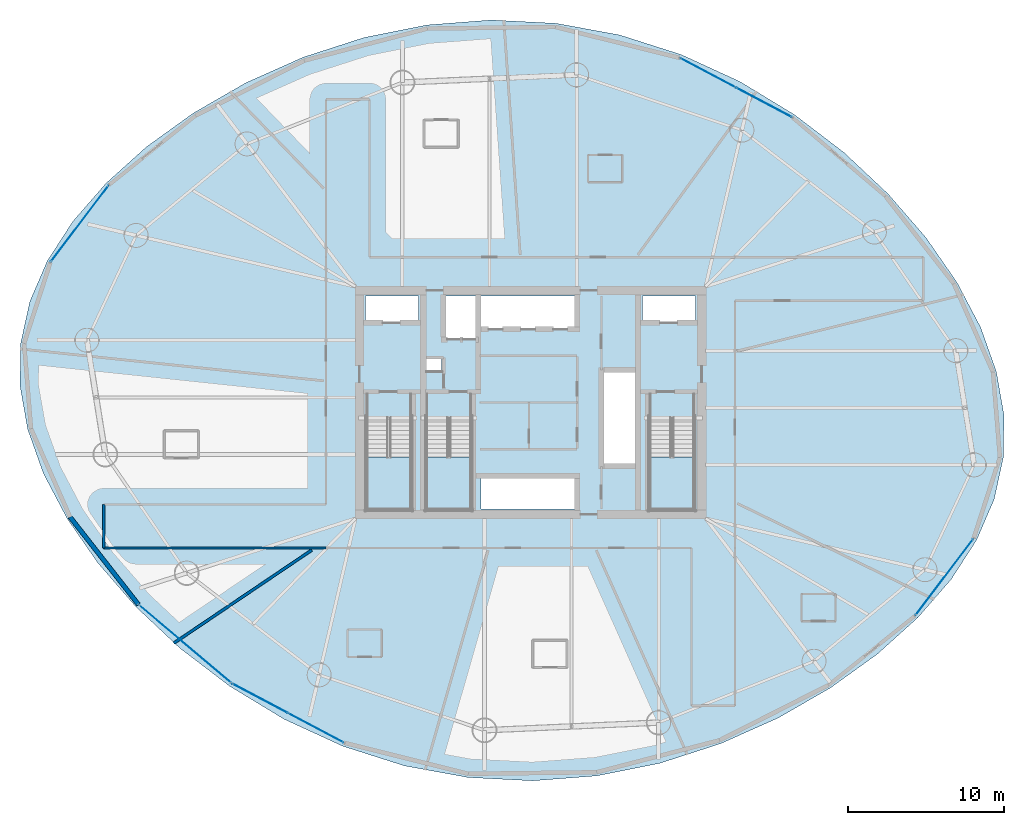
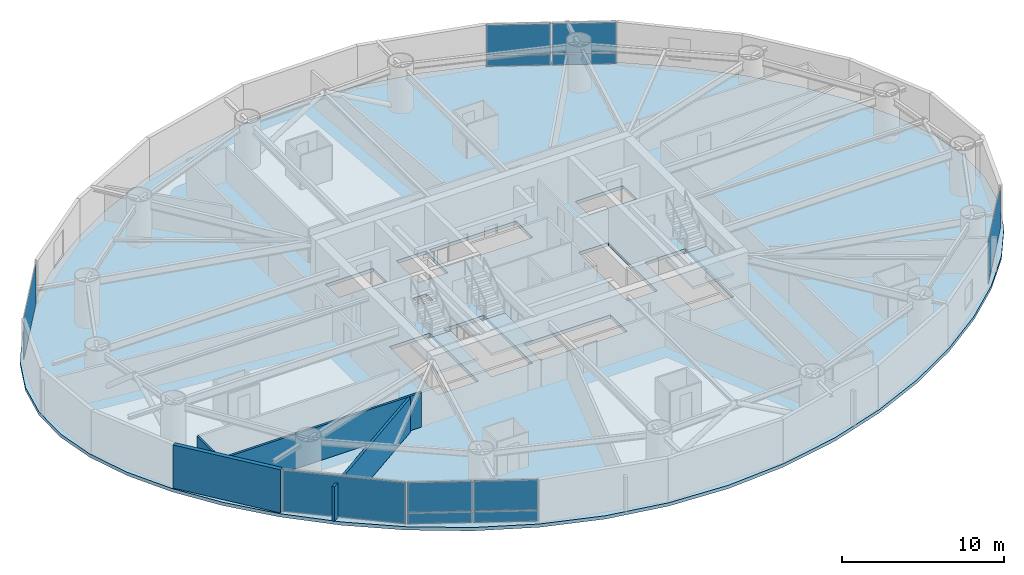
# One storey, part 11 of 19: 11 plates, 4 slabs, 4 walls, 8 elements without a shape of their own.
"""IFC4 building model written with IfcOpenShell, lengths in metres."""

from ifc_helpers import new_model, si_unit, direction, frame, frame_2d, origin, origin_2d, place, context, subcontext, project, spatial, polyline, rectangle, outline, extrude, material, layer, layer_set, type_object, element, aggregate, save


model = new_model("IFC4")

# Units and contexts
model_context = context("Model", 3, precision=1e-05, world=origin(), true_north=direction((0.0, 1.0)))
body_context = subcontext(model_context, "Body", "Model", "MODEL_VIEW")
ifc_project = project(units=[si_unit("LENGTHUNIT", "METRE"), si_unit("AREAUNIT", "SQUARE_METRE"), si_unit("VOLUMEUNIT", "CUBIC_METRE"), si_unit("PLANEANGLEUNIT", "RADIAN"), si_unit("MASSUNIT", "GRAM", prefix="KILO")], contexts=[model_context])

# Site, building, storey
site_placement = place(None, origin())
site = spatial("IfcSite", under=ifc_project, at=site_placement, CompositionType="ELEMENT")
building_placement = place(site_placement, origin())
building = spatial("IfcBuilding", under=site, at=building_placement, Name="Bramvorn Convention Spire", CompositionType="ELEMENT")
storey_placement = place(building_placement, frame((0.0, 0.0, 62.39990234375)))
storey = spatial("IfcBuildingStorey", under=building, at=storey_placement, Name="L13", CompositionType="ELEMENT", Elevation=62.39990234375)

# Curtain wall, plates
ifc_material_1 = material(Name="Anodised Bronze Unitised Curtain Wall", Category="aluminium")
ifc_layer_1 = layer(ifc_material_1, 0.179931640625)
ifc_layer_set_1 = layer_set([ifc_layer_1], Name="Anodised Bronze Unitised Curtain Wall - CW-HTL-FRIT")
curtain_wall_type = type_object("IfcCurtainWallType", Name="CW-HTL-FRIT", PredefinedType="USERDEFINED", material=ifc_layer_set_1)
curtain_wall_1_placement = place(storey_placement, origin())
curtain_wall_1 = element("IfcCurtainWall", 1, at=curtain_wall_1_placement, inside=storey, type_object=curtain_wall_type, Name="L13 fritted glass curtain wall 05", ObjectType="UNITISED CURTAIN WALL", PredefinedType="USERDEFINED")
ifc_material_2 = material(Name="Laminated Low-E Glass (Triple IGU Bronze Ceramic Frit 35%)", Category="glass")
ifc_layer_2 = layer(ifc_material_2, 0.035888671875)
ifc_layer_set_2 = layer_set([ifc_layer_2], Name="Laminated Low-E Glass (Triple IGU Bronze Ceramic Frit 35%) - PNL-IGU-1")
plate_type = type_object("IfcPlateType", Name="PNL-IGU-1", PredefinedType="CURTAIN_PANEL", material=ifc_layer_set_2)
plate_1_placement = place(storey_placement, frame((49.42236328125, 47.18994140625, 0.06005859375), z_axis=(0.0, 0.0, 1.0), x_axis=(0.883964090831, -0.46755479478, 0.0)))
plate_1 = element("IfcPlate", 2, at=plate_1_placement, type_object=plate_type, Name="CW2 panel 1.1", PredefinedType="CURTAIN_PANEL", context=body_context, shape_type="SweptSolid", body=[
    extrude(rectangle(XDim=3.995361328125, YDim=0.028076171875, at=origin_2d()), origin(), (0.0, 0.0, 1.0), 0.81005859375),
])
plate_2_placement = place(storey_placement, frame((49.42236328125, 47.18994140625, 0.93017578125), z_axis=(0.0, 0.0, 1.0), x_axis=(0.883964090831, -0.46755479478, 0.0)))
plate_2 = element("IfcPlate", 3, at=plate_2_placement, type_object=plate_type, Name="CW2 panel 1.2", PredefinedType="CURTAIN_PANEL", context=body_context, shape_type="SweptSolid", body=[
    extrude(rectangle(XDim=3.995361328125, YDim=0.028076171875, at=origin_2d()), origin(), (0.0, 0.0, 1.0), 2.260009765625),
])
plate_3_placement = place(storey_placement, frame((53.007080078125, 45.293701171875, 0.06005859375), z_axis=(0.0, 0.0, 1.0), x_axis=(0.883964090831, -0.46755479478, 0.0)))
plate_3 = element("IfcPlate", 4, at=plate_3_placement, type_object=plate_type, Name="CW2 panel 2.1", PredefinedType="CURTAIN_PANEL", context=body_context, shape_type="SweptSolid", body=[
    extrude(rectangle(XDim=3.995361328125, YDim=0.028076171875, at=origin_2d()), origin(), (0.0, 0.0, 1.0), 0.81005859375),
])
plate_4_placement = place(storey_placement, frame((53.007080078125, 45.293701171875, 0.93017578125), z_axis=(0.0, 0.0, 1.0), x_axis=(0.883964090831, -0.46755479478, 0.0)))
plate_4 = element("IfcPlate", 5, at=plate_4_placement, type_object=plate_type, Name="CW2 panel 2.2", PredefinedType="CURTAIN_PANEL", context=body_context, shape_type="SweptSolid", body=[
    extrude(rectangle(XDim=3.995361328125, YDim=0.028076171875, at=origin_2d()), origin(), (0.0, 0.0, 1.0), 2.260009765625),
])
aggregate(curtain_wall_1, [plate_1, plate_2, plate_3, plate_4])

# Curtain wall, plate
curtain_wall_2_placement = place(storey_placement, origin())
curtain_wall_2 = element("IfcCurtainWall", 6, at=curtain_wall_2_placement, inside=storey, type_object=curtain_wall_type, Name="L13 fritted glass curtain wall 11", ObjectType="UNITISED CURTAIN WALL", PredefinedType="USERDEFINED")
plate_5_placement = place(storey_placement, frame((9.01025390625, 37.501220703125, 0.06005859375), z_axis=(0.0, 0.0, 1.0), x_axis=(0.604195150322, 0.796836382407, 0.0)))
plate_5 = element("IfcPlate", 7, at=plate_5_placement, type_object=plate_type, Name="CW2 panel 1.1", PredefinedType="CURTAIN_PANEL", context=body_context, shape_type="SweptSolid", body=[
    extrude(rectangle(XDim=6.092041015625, YDim=0.028076171875, at=origin_2d()), origin(), (0.0, 0.0, 1.0), 3.1298828125),
])
aggregate(curtain_wall_2, [plate_5])

curtain_wall_3_placement = place(storey_placement, origin())
curtain_wall_3 = element("IfcCurtainWall", 8, at=curtain_wall_3_placement, inside=storey, type_object=curtain_wall_type, Name="L13 fritted glass curtain wall 16", ObjectType="UNITISED CURTAIN WALL", PredefinedType="USERDEFINED")
plate_6_placement = place(storey_placement, frame((15.792724609375, 10.476318359375, 0.06005859375), z_axis=(0.0, 0.0, 1.0), x_axis=(-0.764166600848, 0.645018919218, 0.0)))
plate_6 = element("IfcPlate", 9, at=plate_6_placement, type_object=plate_type, Name="CW2 panel 1.1", PredefinedType="CURTAIN_PANEL", context=body_context, shape_type="SweptSolid", body=[
    extrude(rectangle(XDim=7.724853515625, YDim=0.028076171875, at=origin_2d()), origin(), (0.0, 0.0, 1.0), 3.1298828125),
])
aggregate(curtain_wall_3, [plate_6])

# Curtain wall, plates
curtain_wall_4_placement = place(storey_placement, origin())
curtain_wall_4 = element("IfcCurtainWall", 10, at=curtain_wall_4_placement, inside=storey, type_object=curtain_wall_type, Name="L13 fritted glass curtain wall 17", ObjectType="UNITISED CURTAIN WALL", PredefinedType="USERDEFINED")
plate_7_placement = place(storey_placement, frame((24.19384765625, 5.087890625, 0.06005859375), z_axis=(0.0, 0.0, 1.0), x_axis=(-0.883961415317, 0.467559853101, 0.0)))
plate_7 = element("IfcPlate", 11, at=plate_7_placement, type_object=plate_type, Name="CW2 panel 1.1", PredefinedType="CURTAIN_PANEL", context=body_context, shape_type="SweptSolid", body=[
    extrude(rectangle(XDim=3.995361328125, YDim=0.028076171875, at=origin_2d()), origin(), (0.0, 0.0, 1.0), 0.81005859375),
])
plate_8_placement = place(storey_placement, frame((24.19384765625, 5.087890625, 0.93017578125), z_axis=(0.0, 0.0, 1.0), x_axis=(-0.883961415317, 0.467559853101, 0.0)))
plate_8 = element("IfcPlate", 12, at=plate_8_placement, type_object=plate_type, Name="CW2 panel 1.2", PredefinedType="CURTAIN_PANEL", context=body_context, shape_type="SweptSolid", body=[
    extrude(rectangle(XDim=3.995361328125, YDim=0.028076171875, at=origin_2d()), origin(), (0.0, 0.0, 1.0), 2.260009765625),
])
plate_9_placement = place(storey_placement, frame((20.609130859375, 6.984130859375, 0.06005859375), z_axis=(0.0, 0.0, 1.0), x_axis=(-0.883961415317, 0.467559853101, 0.0)))
plate_9 = element("IfcPlate", 13, at=plate_9_placement, type_object=plate_type, Name="CW2 panel 2.1", PredefinedType="CURTAIN_PANEL", context=body_context, shape_type="SweptSolid", body=[
    extrude(rectangle(XDim=3.995361328125, YDim=0.028076171875, at=origin_2d()), origin(), (0.0, 0.0, 1.0), 0.81005859375),
])
plate_10_placement = place(storey_placement, frame((20.609130859375, 6.984130859375, 0.93017578125), z_axis=(0.0, 0.0, 1.0), x_axis=(-0.883961415317, 0.467559853101, 0.0)))
plate_10 = element("IfcPlate", 14, at=plate_10_placement, type_object=plate_type, Name="CW2 panel 2.2", PredefinedType="CURTAIN_PANEL", context=body_context, shape_type="SweptSolid", body=[
    extrude(rectangle(XDim=3.995361328125, YDim=0.028076171875, at=origin_2d()), origin(), (0.0, 0.0, 1.0), 2.260009765625),
])
aggregate(curtain_wall_4, [plate_7, plate_8, plate_9, plate_10])

# Curtain wall, plate
curtain_wall_5_placement = place(storey_placement, origin())
curtain_wall_5 = element("IfcCurtainWall", 15, at=curtain_wall_5_placement, inside=storey, type_object=curtain_wall_type, Name="L13 fritted glass curtain wall 23", ObjectType="UNITISED CURTAIN WALL", PredefinedType="USERDEFINED")
plate_11_placement = place(storey_placement, frame((64.605712890625, 14.776611328125, 0.06005859375), z_axis=(0.0, 0.0, 1.0), x_axis=(-0.604205371376, -0.796828632267, 0.0)))
plate_11 = element("IfcPlate", 16, at=plate_11_placement, type_object=plate_type, Name="CW2 panel 1.1", PredefinedType="CURTAIN_PANEL", context=body_context, shape_type="SweptSolid", body=[
    extrude(rectangle(XDim=6.092041015625, YDim=0.028076171875, at=origin_2d()), origin(), (0.0, 0.0, 1.0), 3.1298828125),
])
aggregate(curtain_wall_5, [plate_11])

# Stair, slab
ifc_material_3 = material(Name="Concrete C40/50 Precast Stair", Category="concrete")
stair_type = type_object("IfcStairType", Name="ST-TOWER-1550", PredefinedType="HALF_TURN_STAIR", material=ifc_material_3)
stair_1_placement = place(storey_placement, origin())
stair_1 = element("IfcStair", 17, at=stair_1_placement, inside=storey, type_object=stair_type, Name="L13 Protected Exit Stair ST1", PredefinedType="HALF_TURN_STAIR")
ifc_material_4 = material(Name="Concrete C40/50 Stair Landing", Category="concrete")
ifc_layer_3 = layer(ifc_material_4, 0.219970703125)
ifc_layer_set_3 = layer_set([ifc_layer_3], Name="Concrete C40/50 Stair Landing - SLB-STAIR-LANDING")
slab_type_1 = type_object("IfcSlabType", Name="SLB-STAIR-LANDING", PredefinedType="LANDING", material=ifc_layer_set_3)
slab_1_placement = place(storey_placement, frame((0.0, 0.0, 1.550048828125)))
slab_1 = element("IfcSlab", 18, at=slab_1_placement, type_object=slab_type_1, Name="ST1 landing 1", PredefinedType="LANDING", context=body_context, shape_type="SweptSolid", body=[
    extrude(outline(polyline([(27.449951171875, 22.485107421875), (27.449951171875, 19.10009765625), (30.35009765625, 19.10009765625), (30.35009765625, 22.485107421875), (27.449951171875, 22.485107421875)])), origin(), (0.0, 0.0, 1.0), 0.199951171875),
])
aggregate(stair_1, [slab_1])

stair_2_placement = place(storey_placement, origin())
stair_2 = element("IfcStair", 19, at=stair_2_placement, inside=storey, type_object=stair_type, Name="L13 Protected Exit Stair ST2", PredefinedType="HALF_TURN_STAIR")
slab_2_placement = place(storey_placement, frame((0.0, 0.0, 1.550048828125)))
slab_2 = element("IfcSlab", 20, at=slab_2_placement, type_object=slab_type_1, Name="ST2 landing 1", PredefinedType="LANDING", context=body_context, shape_type="SweptSolid", body=[
    extrude(outline(polyline([(45.64990234375, 22.485107421875), (45.64990234375, 19.10009765625), (48.550048828125, 19.10009765625), (48.550048828125, 22.485107421875), (45.64990234375, 22.485107421875)])), origin(), (0.0, 0.0, 1.0), 0.199951171875),
])
aggregate(stair_2, [slab_2])

stair_3_placement = place(storey_placement, origin())
stair_3 = element("IfcStair", 21, at=stair_3_placement, inside=storey, type_object=stair_type, Name="L13 Protected Exit Stair ST3", PredefinedType="HALF_TURN_STAIR")
slab_3_placement = place(storey_placement, frame((0.0, 0.0, 1.550048828125)))
slab_3 = element("IfcSlab", 22, at=slab_3_placement, type_object=slab_type_1, Name="ST3 landing 1", PredefinedType="LANDING", context=body_context, shape_type="SweptSolid", body=[
    extrude(outline(polyline([(31.300048828125, 22.485107421875), (31.300048828125, 19.10009765625), (34.199951171875, 19.10009765625), (34.199951171875, 22.485107421875), (31.300048828125, 22.485107421875)])), origin(), (0.0, 0.0, 1.0), 0.199951171875),
])
aggregate(stair_3, [slab_3])

# Slab
ifc_material_5 = material(Name="Concrete C50/60", Category="concrete")
ifc_layer_4 = layer(ifc_material_5, 0.25)
ifc_layer_set_4 = layer_set([ifc_layer_4], Name="Concrete C50/60 - SLB-Z1-250")
slab_type_2 = type_object("IfcSlabType", Name="SLB-Z1-250", PredefinedType="FLOOR", material=ifc_layer_set_4)
slab_4_placement = place(storey_placement, frame((0.0, 0.0, -0.25)))
element("IfcSlab", 23, at=slab_4_placement, inside=storey, type_object=slab_type_2, Name="L13 tower floor slab", PredefinedType="FLOOR", context=body_context, shape_type="SweptSolid", body=[
    extrude(outline(polyline([(68.39404296875, 22.456298828125), (68.439208984375, 25.19140625), (67.9482421875, 27.9892578125), (66.934814453125, 30.84130859375), (65.418701171875, 33.724853515625), (63.42724609375, 36.599853515625), (60.993408203125, 39.408203125), (58.15576171875, 42.0751953125), (54.958251953125, 44.515869140625), (51.4501953125, 46.64208984375), (47.686279296875, 48.37109375), (43.726318359375, 49.634033203125), (39.634521484375, 50.3828125), (35.480712890625, 50.59521484375), (31.336181640625, 50.27734375), (27.275390625, 49.460693359375), (23.372314453125, 48.198486328125), (19.698974609375, 46.55859375), (16.323974609375, 44.615966796875), (13.309326171875, 42.443115234375), (10.7099609375, 40.103271484375), (8.5712890625, 37.645751953125), (6.9287109375, 35.103515625), (5.8076171875, 32.49365234375), (5.221923828125, 29.821533203125), (5.177001953125, 27.08642578125), (5.667724609375, 24.28857421875), (6.681396484375, 21.436767578125), (8.197509765625, 18.552978515625), (10.18896484375, 15.677978515625), (12.622802734375, 12.869873046875), (15.46044921875, 10.202880859375), (18.657958984375, 7.76220703125), (22.166015625, 5.6357421875), (25.929931640625, 3.90673828125), (29.889892578125, 2.643798828125), (33.9814453125, 1.895263671875), (38.135498046875, 1.6826171875), (42.280029296875, 2.00048828125), (46.3408203125, 2.8173828125), (50.243896484375, 4.07958984375), (53.9169921875, 5.71923828125), (57.292236328125, 7.661865234375), (60.306640625, 9.8349609375), (62.90625, 12.1748046875), (65.044921875, 14.632080078125), (66.6875, 17.17431640625), (67.80859375, 19.7841796875), (68.39404296875, 22.456298828125)]), holes=[polyline([(27.449951171875, 25.050048828125), (27.449951171875, 19.10009765625), (30.35009765625, 19.10009765625), (30.35009765625, 25.050048828125), (27.449951171875, 25.050048828125)]), polyline([(45.64990234375, 25.050048828125), (45.64990234375, 19.10009765625), (48.550048828125, 19.10009765625), (48.550048828125, 25.050048828125), (45.64990234375, 25.050048828125)]), polyline([(31.300048828125, 25.050048828125), (31.300048828125, 19.10009765625), (34.199951171875, 19.10009765625), (34.199951171875, 25.050048828125), (31.300048828125, 25.050048828125)]), polyline([(27.39990234375, 31.219970703125), (30.800048828125, 31.219970703125), (30.800048828125, 32.85009765625), (27.39990234375, 32.85009765625), (27.39990234375, 31.219970703125)]), polyline([(45.199951171875, 31.219970703125), (48.60009765625, 31.219970703125), (48.60009765625, 32.85009765625), (45.199951171875, 32.85009765625), (45.199951171875, 31.219970703125)]), polyline([(32.449951171875, 30.14990234375), (34.56005859375, 30.14990234375), (34.56005859375, 32.85009765625), (32.449951171875, 32.85009765625), (32.449951171875, 30.14990234375)]), polyline([(34.800048828125, 30.800048828125), (40.97998046875, 30.800048828125), (40.97998046875, 32.85009765625), (34.800048828125, 32.85009765625), (34.800048828125, 30.800048828125)]), polyline([(34.800048828125, 19.14990234375), (40.97998046875, 19.14990234375), (40.97998046875, 21.199951171875), (34.800048828125, 21.199951171875), (34.800048828125, 19.14990234375)]), polyline([(42.6201171875, 22.0), (44.75, 22.0), (44.75, 28.0), (42.6201171875, 28.0), (42.6201171875, 22.0)]), polyline([(31.320068359375, 28.02001953125), (32.280029296875, 28.02001953125), (32.280029296875, 28.820068359375), (31.320068359375, 28.820068359375), (31.320068359375, 28.02001953125)])]), origin(), (0.0, 0.0, 1.0), 0.25),
])

# Walls
ifc_material_6 = material(Name="Precast Concrete C40/50 with Bronze Terracotta Rainscreen", Category="masonry")
ifc_layer_5 = layer(ifc_material_6, 0.300048828125)
ifc_layer_set_5 = layer_set([ifc_layer_5], Name="Precast Concrete C40/50 with Bronze Terracotta Rainscreen - WL-EXT-BRONZE-300")
wall_type_1 = type_object("IfcWallType", Name="WL-EXT-BRONZE-300", PredefinedType="SOLIDWALL", material=ifc_layer_set_5)
wall_1_placement = place(storey_placement, frame((12.79541015625, 13.00634765625, 0.0), z_axis=(0.0, 0.0, 1.0), x_axis=(-0.615498775156, 0.788137841866, 0.0)))
element("IfcWall", 24, at=wall_1_placement, inside=storey, type_object=wall_type_1, Name="L13 expressed bronze Gothic lancet pier wall 15", PredefinedType="SOLIDWALL", context=body_context, shape_type="SweptSolid", body=[
    extrude(rectangle(XDim=7.14306640625, YDim=0.280029296875, at=frame_2d((3.571533203125, 0.0))), origin(), (0.0, 0.0, 1.0), 3.25),
])
ifc_material_7 = material(Name="Acoustic Metal-Stud Tenant/Corridor Partition", Category="gypsum")
ifc_layer_6 = layer(ifc_material_7, 0.14990234375)
ifc_layer_set_6 = layer_set([ifc_layer_6], Name="Acoustic Metal-Stud Tenant/Corridor Partition - WL-PART-150")
wall_type_2 = type_object("IfcWallType", Name="WL-PART-150", PredefinedType="PARTITIONING", material=ifc_layer_set_6)
wall_2_placement = place(storey_placement, frame((10.5595703125, 16.64990234375, 0.0), z_axis=(0.0, 0.0, 1.0), x_axis=(1.0, 0.0, 0.0)))
element("IfcWall", 25, at=wall_2_placement, inside=storey, type_object=wall_type_2, Name="L13 SW pinwheel wing south wall", PredefinedType="PARTITIONING", context=body_context, shape_type="SweptSolid", body=[
    extrude(rectangle(XDim=14.29052734375, YDim=0.14990234375, at=frame_2d((7.145263671875, 0.0))), origin(), (0.0, 0.0, 1.0), 2.60009765625),
])
wall_3_placement = place(storey_placement, frame((10.5595703125, 16.64990234375, 0.0), z_axis=(0.0, 0.0, 1.0), x_axis=(0.0, 1.0, 0.0)))
element("IfcWall", 26, at=wall_3_placement, inside=storey, type_object=wall_type_2, Name="L13 SW pinwheel end wall", PredefinedType="PARTITIONING", context=body_context, shape_type="SweptSolid", body=[
    extrude(rectangle(XDim=2.800048828125, YDim=0.14990234375, at=frame_2d((1.39990234375, 0.0))), origin(), (0.0, 0.0, 1.0), 2.60009765625),
])
ifc_material_8 = material(Name="Double-Stud Acoustic Hotel/Suite Partition", Category="gypsum")
ifc_layer_7 = layer(ifc_material_8, 0.175048828125)
ifc_layer_set_7 = layer_set([ifc_layer_7], Name="Double-Stud Acoustic Hotel/Suite Partition - WL-PART-175")
wall_type_3 = type_object("IfcWallType", Name="WL-PART-175", PredefinedType="PARTITIONING", material=ifc_layer_set_7)
wall_4_placement = place(storey_placement, frame((23.930419921875, 16.510009765625, 0.0), z_axis=(0.0, 0.0, 1.0), x_axis=(-0.829034462521, -0.559197514259, 0.0)))
element("IfcWall", 27, at=wall_4_placement, inside=storey, type_object=wall_type_3, Name="L13 Guestroom demising wall 6", PredefinedType="PARTITIONING", context=body_context, shape_type="SweptSolid", body=[
    extrude(rectangle(XDim=10.691650390625, YDim=0.175048828125, at=frame_2d((5.345703125, 0.0))), origin(), (0.0, 0.0, 1.0), 2.60009765625),
])

save(model, "model.ifc")
